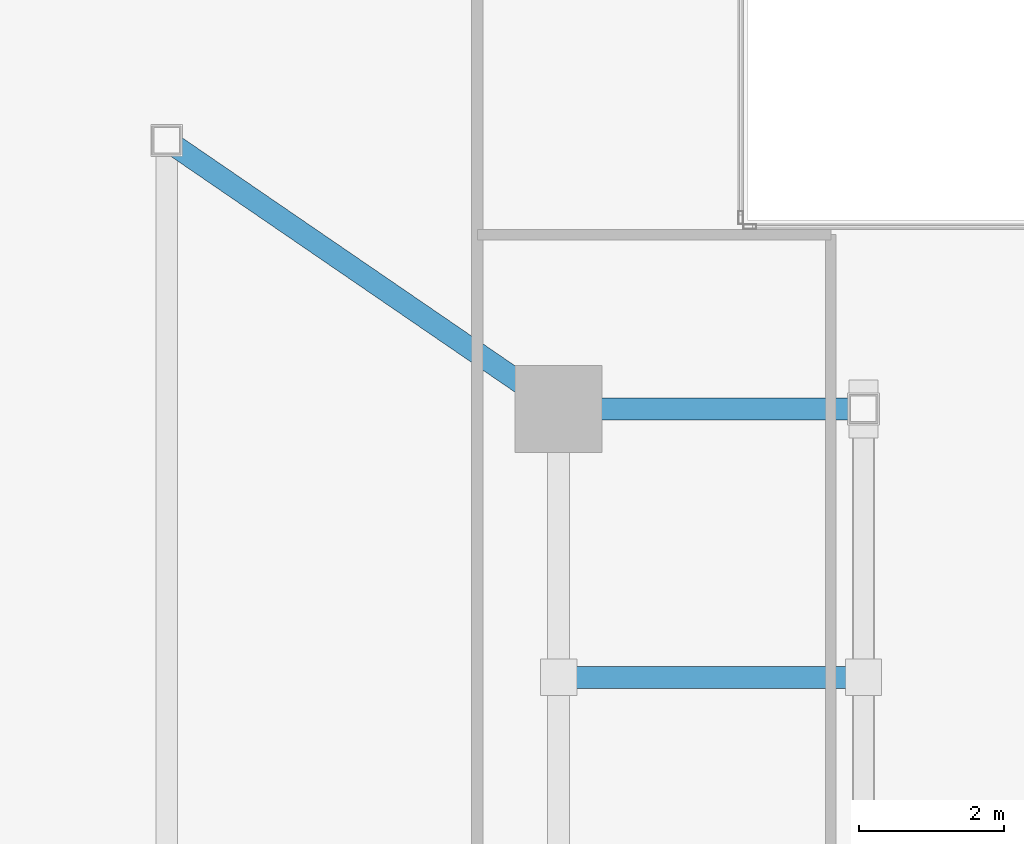
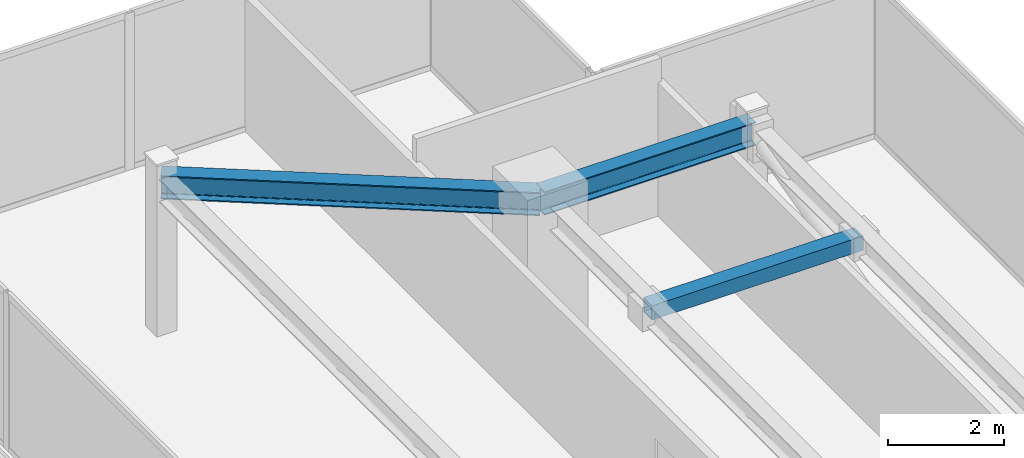
# One storey, part 15 of 25: 2 beams, 1 member.
"""IFC4 building model written with IfcOpenShell, lengths in metres."""

from ifc_helpers import new_model, si_unit, direction, frame, origin, origin_2d, place, context, subcontext, project, spatial, hollow_rectangle, i_section, extrude, source, transform, mapped, material, material_profile, profile_set, type_object, type_shapes, element, save


model = new_model("IFC4")

# Units and contexts
model_context = context("Model", 3, precision=1e-05, world=origin(), true_north=direction((0.0, 1.0)))
body_context = subcontext(model_context, "Body", "Model", "MODEL_VIEW")
ifc_project = project(units=[si_unit("LENGTHUNIT", "METRE"), si_unit("AREAUNIT", "SQUARE_METRE"), si_unit("VOLUMEUNIT", "CUBIC_METRE"), si_unit("PLANEANGLEUNIT", "RADIAN"), si_unit("MASSUNIT", "GRAM", prefix="KILO")], contexts=[model_context])

# Site, building, storey
site_placement = place(None, origin())
site = spatial("IfcSite", under=ifc_project, at=site_placement, CompositionType="ELEMENT")
building_placement = place(site_placement, origin())
building = spatial("IfcBuilding", under=site, at=building_placement, Name="Krantzveldt Concourse Tower", CompositionType="ELEMENT")
storey_placement = place(building_placement, frame((0.0, 0.0, 374.64990234375)))
storey = spatial("IfcBuildingStorey", under=building, at=storey_placement, Name="L92", CompositionType="ELEMENT", Elevation=374.64990234375)

# Beams
ifc_material_1 = material(Name="Steel S355JR", Category="steel")
ifc_material_profile_1 = material_profile(ifc_material_1, i_section(OverallWidth=0.300048828125, OverallDepth=0.489990234375, WebThickness=0.011962890625, FlangeThickness=0.02294921875, FilletRadius=0.027099609375, at=origin_2d()), Name="Steel S355JR", Category="steel")
ifc_profile_set_1 = profile_set([ifc_material_profile_1], Name="Steel S355JR - HEA 500")
beam_type = type_object("IfcBeamType", Name="BM-B-HEA500", PredefinedType="BEAM", material=ifc_profile_set_1)
shared_shape_1 = source(origin(), body_context, "Body", "SweptSolid", [
    extrude(i_section(OverallWidth=0.300048828125, OverallDepth=0.489990234375, WebThickness=0.011962890625, FlangeThickness=0.02294921875, FilletRadius=0.027099609375, at=origin_2d()), origin(), (0.0, 0.0, 1.0), 4.199951171875),
])
beam_1_placement = place(storey_placement, frame((51.0, 37.5, 3.05517578125), z_axis=(-1.0, 0.0, 0.0), x_axis=(0.0, -1.0, 0.0)))
element("IfcBeam", 1, at=beam_1_placement, inside=storey, type_object=beam_type, Name="L92 Crown Girder EAST-3", PredefinedType="BEAM", context=body_context, shape_type="MappedRepresentation", body=[
    mapped(shared_shape_1, transform((0.0, 0.0, 0.0), x_axis=(1.0, 0.0, 0.0), y_axis=(0.0, 1.0, 0.0), z_axis=(0.0, 0.0, 1.0), scale=1.0)),
])
shared_shape_2 = source(origin(), body_context, "Body", "SweptSolid", [
    extrude(i_section(OverallWidth=0.300048828125, OverallDepth=0.489990234375, WebThickness=0.011962890625, FlangeThickness=0.02294921875, FilletRadius=0.027099609375, at=origin_2d()), origin(), (0.0, 0.0, 1.0), 6.546142578125),
])
type_shapes(beam_type, [shared_shape_1, shared_shape_2])
beam_2_placement = place(storey_placement, frame((46.800048828125, 37.5, 3.05517578125), z_axis=(-0.824942999484, 0.565215930068, 0.0), x_axis=(-0.565215930068, -0.824942999484, 0.0)))
element("IfcBeam", 2, at=beam_2_placement, inside=storey, type_object=beam_type, Name="L92 Crown Girder EAST-4", PredefinedType="BEAM", context=body_context, shape_type="MappedRepresentation", body=[
    mapped(shared_shape_2, transform((0.0, 0.0, 0.0), x_axis=(1.0, 0.0, 0.0), y_axis=(0.0, 1.0, 0.0), z_axis=(0.0, 0.0, 1.0), scale=1.0)),
])

# Member
ifc_material_2 = material(Name="Steel S355J2", Category="steel")
ifc_material_profile_2 = material_profile(ifc_material_2, hollow_rectangle(XDim=0.300048828125, YDim=0.300048828125, WallThickness=0.02001953125, at=origin_2d()), Name="Steel S355J2", Category="steel")
ifc_profile_set_2 = profile_set([ifc_material_profile_2], Name="Steel S355J2 - SHS 300x300x20")
member_type = type_object("IfcMemberType", Name="MB-CP-SHS300", PredefinedType="PURLIN", material=ifc_profile_set_2)
shared_shape_3 = source(origin(), body_context, "Body", "SweptSolid", [
    extrude(hollow_rectangle(XDim=0.300048828125, YDim=0.300048828125, WallThickness=0.02001953125, at=origin_2d()), origin(), (0.0, 0.0, 1.0), 4.199951171875),
])
type_shapes(member_type, [shared_shape_3])
member_placement = place(storey_placement, frame((46.800048828125, 33.800048828125, 3.0), z_axis=(1.0, 0.0, 0.0), x_axis=(0.0, 1.0, 0.0)))
element("IfcMember", 3, at=member_placement, inside=storey, type_object=member_type, Name="CPR-L92-EAST-1", PredefinedType="PURLIN", context=body_context, shape_type="MappedRepresentation", body=[
    mapped(shared_shape_3, transform((0.0, 0.0, 0.0), x_axis=(1.0, 0.0, 0.0), y_axis=(0.0, 1.0, 0.0), z_axis=(0.0, 0.0, 1.0), scale=1.0)),
])

save(model, "model.ifc")
